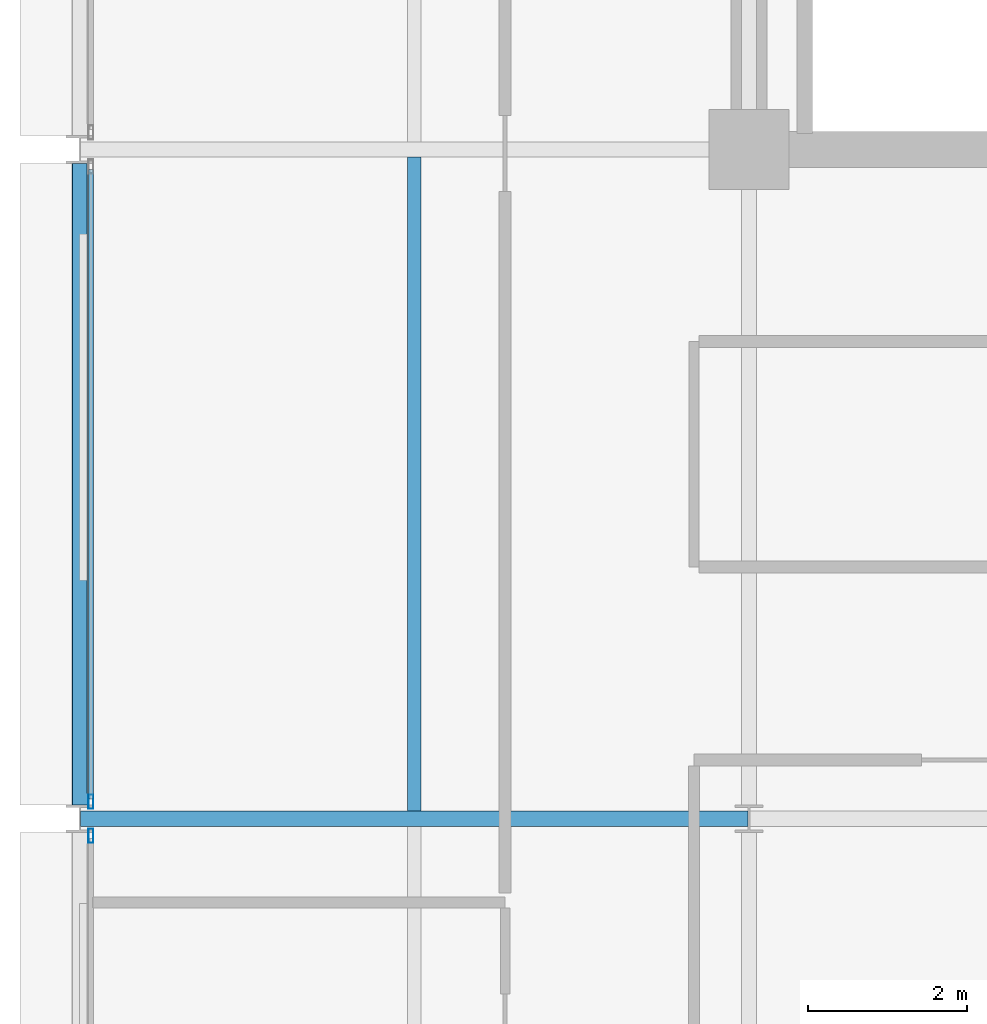
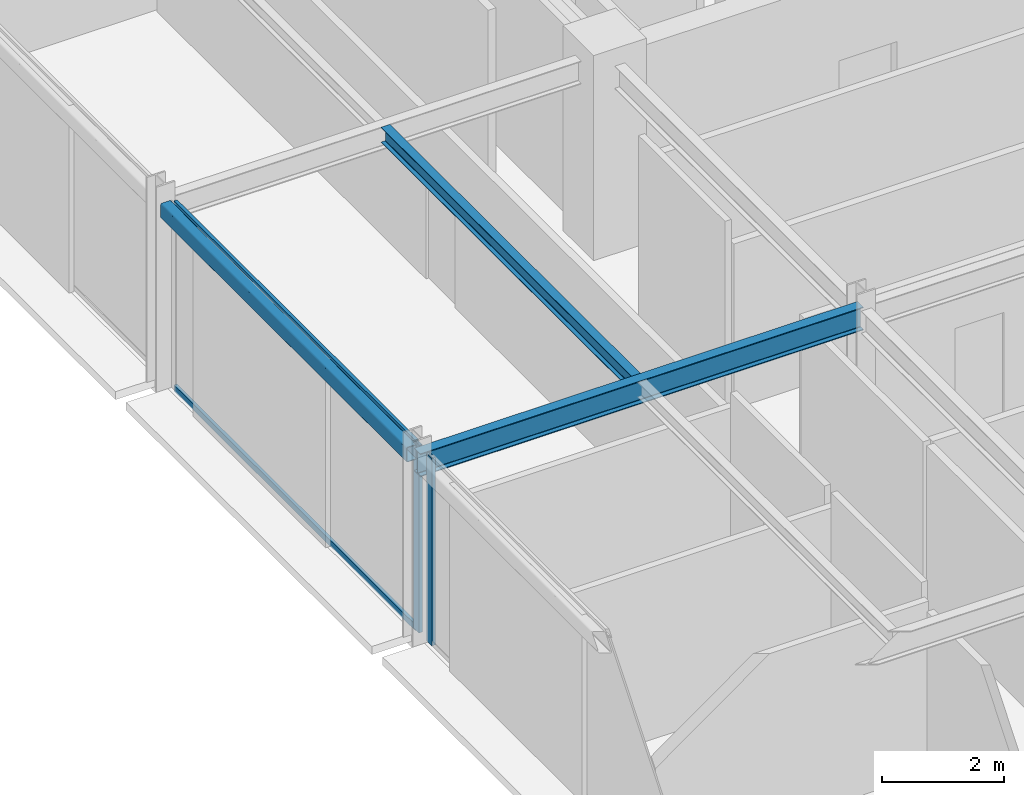
# One storey, part 8 of 26: 4 members, 3 beams, 2 elements without a shape of their own.
"""IFC4 building model written with IfcOpenShell, lengths in metres."""

from ifc_helpers import new_model, si_unit, direction, frame, origin, origin_2d, place, context, subcontext, project, spatial, hollow_rectangle, i_section, extrude, material, layer, layer_set, material_profile, profile_set, type_object, element, aggregate, save


model = new_model("IFC4")

# Units and contexts
model_context = context("Model", 3, precision=1e-05, world=origin(), true_north=direction((0.0, 1.0)))
body_context = subcontext(model_context, "Body", "Model", "MODEL_VIEW")
ifc_project = project(units=[si_unit("LENGTHUNIT", "METRE"), si_unit("AREAUNIT", "SQUARE_METRE"), si_unit("VOLUMEUNIT", "CUBIC_METRE"), si_unit("PLANEANGLEUNIT", "RADIAN"), si_unit("MASSUNIT", "GRAM", prefix="KILO")], contexts=[model_context])

# Site, building, storey
site_placement = place(None, origin())
site = spatial("IfcSite", under=ifc_project, at=site_placement, CompositionType="ELEMENT")
building_placement = place(site_placement, origin())
building = spatial("IfcBuilding", under=site, at=building_placement, Name="Nerrivon Quay Data Exchange", CompositionType="ELEMENT")
storey_placement = place(building_placement, frame((0.0, 0.0, 241.10009765625)))
storey = spatial("IfcBuildingStorey", under=building, at=storey_placement, Name="L57", CompositionType="ELEMENT", Elevation=241.10009765625)

# Beams
ifc_material_1 = material(Name="Steel Grade 350", Category="steel")
ifc_material_profile_1 = material_profile(ifc_material_1, i_section(OverallWidth=0.19091796875, OverallDepth=0.4599609375, WebThickness=0.010009765625, FlangeThickness=0.01611328125, FilletRadius=0.011474609375, at=origin_2d()), Name="460UB82.1")
ifc_profile_set_1 = profile_set([ifc_material_profile_1], Name="Steel Grade 350")
beam_type_1 = type_object("IfcBeamType", Name="BM-G5-460UB82", PredefinedType="BEAM", material=ifc_profile_set_1)
beam_1_placement = place(storey_placement, frame((0.010009765625, 16.800048828125, 3.52001953125), z_axis=(1.0, 0.0, 0.0), x_axis=(0.0, 1.0, 0.0)))
element("IfcBeam", 1, at=beam_1_placement, inside=storey, type_object=beam_type_1, Name="L57 EW Girder Y=16.8 (0.0..8.4)", PredefinedType="BEAM", context=body_context, shape_type="SweptSolid", body=[
    extrude(i_section(OverallWidth=0.19091796875, OverallDepth=0.4599609375, WebThickness=0.010009765625, FlangeThickness=0.01611328125, FilletRadius=0.011474609375, at=origin_2d()), origin(), (0.0, 0.0, 1.0), 8.3798828125),
])
ifc_material_profile_2 = material_profile(ifc_material_1, i_section(OverallWidth=0.166015625, OverallDepth=0.306884765625, WebThickness=0.006591796875, FlangeThickness=0.01171875, FilletRadius=0.011474609375, at=origin_2d()), Name="310UB46.2")
ifc_profile_set_2 = profile_set([ifc_material_profile_2], Name="Steel Grade 350")
beam_type_2 = type_object("IfcBeamType", Name="BM-J5-310UB46", PredefinedType="JOIST", material=ifc_profile_set_2)
beam_2_placement = place(storey_placement, frame((4.199951171875, 16.8955078125, 3.596435546875), z_axis=(0.0, 1.0, 0.0), x_axis=(-1.0, 0.0, 0.0)))
element("IfcBeam", 2, at=beam_2_placement, inside=storey, type_object=beam_type_2, Name="L57 Secondary Joist X=4.2 (16.8..25.2)", PredefinedType="JOIST", context=body_context, shape_type="SweptSolid", body=[
    extrude(i_section(OverallWidth=0.166015625, OverallDepth=0.306884765625, WebThickness=0.006591796875, FlangeThickness=0.01171875, FilletRadius=0.011474609375, at=origin_2d()), origin(), (0.0, 0.0, 1.0), 8.208984375),
])
ifc_material_2 = material(Name="Steel Grade C350L0 (350 MPa)", Category="steel")
ifc_material_profile_3 = material_profile(ifc_material_2, hollow_rectangle(XDim=0.199951171875, YDim=0.300048828125, WallThickness=0.012451171875, InnerFilletRadius=0.018798828125, OuterFilletRadius=0.03125, at=origin_2d()), Name="300x200x12.5RHS")
ifc_profile_set_3 = profile_set([ifc_material_profile_3], Name="Steel Grade C350L0 (350 MPa)")
beam_type_3 = type_object("IfcBeamType", Name="BM-SP3-300x200RHS", PredefinedType="SPANDREL", material=ifc_profile_set_3)
beam_3_placement = place(storey_placement, frame((0.0, 16.97509765625, 3.599853515625), z_axis=(0.0, 1.0, 0.0), x_axis=(-1.0, 0.0, 0.0)))
element("IfcBeam", 3, at=beam_3_placement, inside=storey, type_object=beam_type_3, Name="L57 NS Girder X=0.0 (16.8..25.2)", PredefinedType="SPANDREL", context=body_context, shape_type="SweptSolid", body=[
    extrude(hollow_rectangle(XDim=0.199951171875, YDim=0.300048828125, WallThickness=0.012451171875, InnerFilletRadius=0.018798828125, OuterFilletRadius=0.03125, at=origin_2d()), origin(), (0.0, 0.0, 1.0), 8.0498046875),
])

# Curtain wall, member
ifc_material_3 = material(Name="Anodised aluminium 6063-T6", Category="aluminium")
ifc_layer = layer(ifc_material_3, 0.195068359375)
ifc_layer_set = layer_set([ifc_layer], Name="Anodised aluminium 6063-T6")
curtain_wall_type = type_object("IfcCurtainWallType", Name="CW-SYS-06", PredefinedType="NOTDEFINED", material=ifc_layer_set)
curtain_wall_1_placement = place(storey_placement, origin())
curtain_wall_1 = element("IfcCurtainWall", 4, at=curtain_wall_1_placement, inside=storey, type_object=curtain_wall_type, Name="L57 Unitised Curtain Wall 12", PredefinedType="NOTDEFINED")
ifc_material_profile_4 = material_profile(ifc_material_3, hollow_rectangle(XDim=0.06494140625, YDim=0.179931640625, WallThickness=0.00341796875, at=origin_2d()), Name="ALU-MULL-180x65")
ifc_profile_set_4 = profile_set([ifc_material_profile_4], Name="Anodised aluminium 6063-T6")
member_type_1 = type_object("IfcMemberType", Name="CWM-180x65", PredefinedType="MULLION", material=ifc_profile_set_4)
member_1_placement = place(storey_placement, frame((0.139892578125, 16.58740234375, 0.0), z_axis=(0.0, 0.0, 1.0), x_axis=(-1.0, 0.0, 0.0)))
member_1 = element("IfcMember", 5, at=member_1_placement, type_object=member_type_1, Name="CW06 mullion 2", PredefinedType="MULLION", context=body_context, shape_type="SweptSolid", body=[
    extrude(hollow_rectangle(XDim=0.06494140625, YDim=0.179931640625, WallThickness=0.00341796875, at=origin_2d()), origin(), (0.0, 0.0, 1.0), 3.75),
])
aggregate(curtain_wall_1, [member_1])

# Curtain wall, members
curtain_wall_2_placement = place(storey_placement, origin())
curtain_wall_2 = element("IfcCurtainWall", 6, at=curtain_wall_2_placement, inside=storey, type_object=curtain_wall_type, Name="L57 Unitised Curtain Wall 13", PredefinedType="NOTDEFINED")
member_2_placement = place(storey_placement, frame((0.139892578125, 17.012451171875, 0.0), z_axis=(0.0, 0.0, 1.0), x_axis=(-1.0, 0.0, 0.0)))
member_2 = element("IfcMember", 7, at=member_2_placement, type_object=member_type_1, Name="CW06 mullion 1", PredefinedType="MULLION", context=body_context, shape_type="SweptSolid", body=[
    extrude(hollow_rectangle(XDim=0.06494140625, YDim=0.179931640625, WallThickness=0.00341796875, at=origin_2d()), origin(), (0.0, 0.0, 1.0), 3.75),
])
ifc_material_profile_5 = material_profile(ifc_material_3, hollow_rectangle(XDim=0.06005859375, YDim=0.1201171875, WallThickness=0.003173828125, at=origin_2d()), Name="ALU-TRAN-120x60")
ifc_profile_set_5 = profile_set([ifc_material_profile_5], Name="Anodised aluminium 6063-T6")
member_type_2 = type_object("IfcMemberType", Name="CWT-120x60", PredefinedType="USERDEFINED", material=ifc_profile_set_5)
member_3_placement = place(storey_placement, frame((0.139892578125, 17.050048828125, 0.032470703125), z_axis=(0.0, 1.0, 0.0), x_axis=(-1.0, 0.0, 0.0)))
member_3 = element("IfcMember", 8, at=member_3_placement, type_object=member_type_2, Name="CW06 transom 1.1", ObjectType="TRANSOM", PredefinedType="USERDEFINED", context=body_context, shape_type="SweptSolid", body=[
    extrude(hollow_rectangle(XDim=0.06005859375, YDim=0.1201171875, WallThickness=0.003173828125, at=origin_2d()), origin(), (0.0, 0.0, 1.0), 7.89990234375),
])
member_4_placement = place(storey_placement, frame((0.139892578125, 17.050048828125, 3.71728515625), z_axis=(0.0, 1.0, 0.0), x_axis=(-1.0, 0.0, 0.0)))
member_4 = element("IfcMember", 9, at=member_4_placement, type_object=member_type_2, Name="CW06 transom 1.2", ObjectType="TRANSOM", PredefinedType="USERDEFINED", context=body_context, shape_type="SweptSolid", body=[
    extrude(hollow_rectangle(XDim=0.06005859375, YDim=0.1201171875, WallThickness=0.003173828125, at=origin_2d()), origin(), (0.0, 0.0, 1.0), 7.89990234375),
])
aggregate(curtain_wall_2, [member_2, member_3, member_4])

save(model, "model.ifc")
